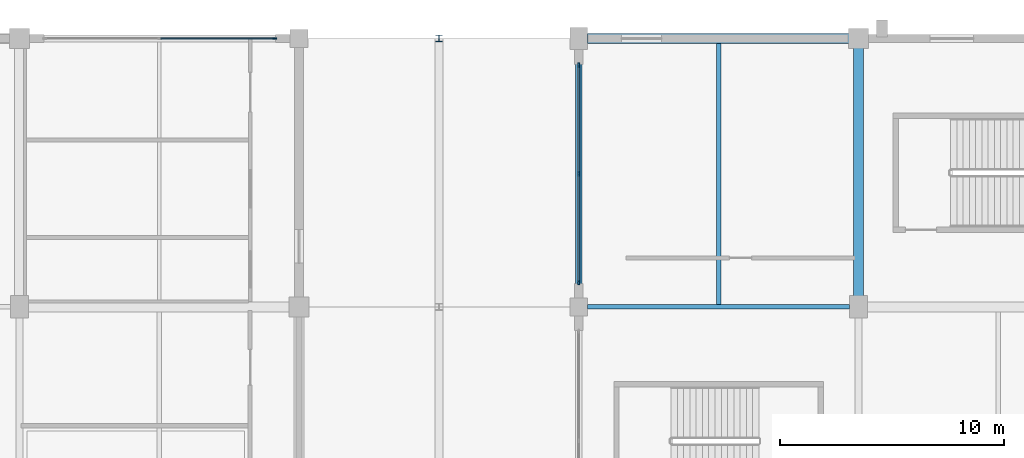
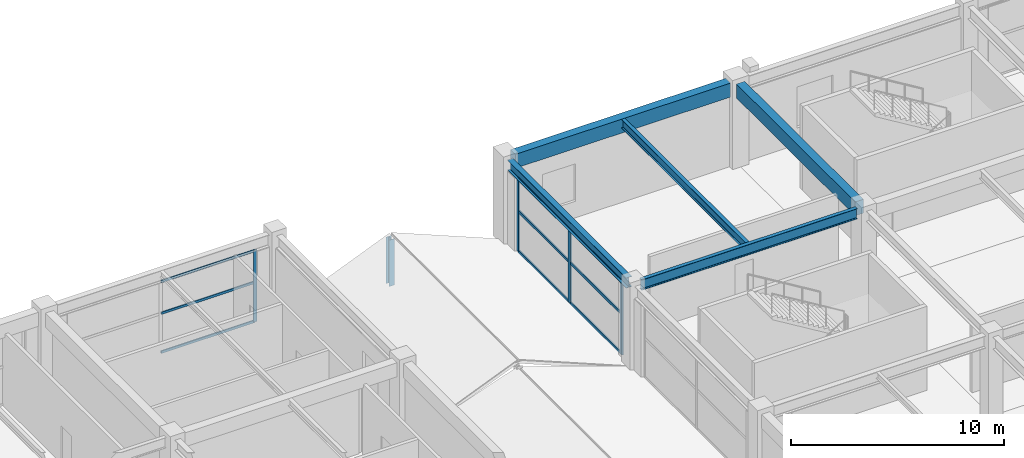
# One storey, part 48 of 116: 14 members, 5 beams, 2 elements without a shape of their own.
"""IFC4 building model written with IfcOpenShell, lengths in metres."""

from ifc_helpers import new_model, si_unit, direction, frame, origin, origin_2d, place, context, subcontext, project, spatial, rectangle, i_section, extrude, material, layer, layer_set, material_profile, profile_set, type_object, element, aggregate, save


model = new_model("IFC4")

# Units and contexts
model_context = context("Model", 3, precision=1e-05, world=origin(), true_north=direction((0.0, 1.0)))
body_context = subcontext(model_context, "Body", "Model", "MODEL_VIEW")
ifc_project = project(units=[si_unit("LENGTHUNIT", "METRE"), si_unit("AREAUNIT", "SQUARE_METRE"), si_unit("VOLUMEUNIT", "CUBIC_METRE"), si_unit("PLANEANGLEUNIT", "RADIAN"), si_unit("MASSUNIT", "GRAM", prefix="KILO")], contexts=[model_context])

# Site, building, storey
site_placement = place(None, origin())
site = spatial("IfcSite", under=ifc_project, at=site_placement, CompositionType="ELEMENT")
building_placement = place(site_placement, origin())
building = spatial("IfcBuilding", under=site, at=building_placement, Name="Kazenohara Klinker Stadium", CompositionType="ELEMENT")
storey_placement = place(building_placement, frame((0.0, 0.0, 10.199951171875)))
storey = spatial("IfcBuildingStorey", under=building, at=storey_placement, Name="L02", CompositionType="ELEMENT", Elevation=10.199951171875)

# Beams
ifc_material_1 = material(Name="Steel S355", Category="steel")
ifc_material_profile_1 = material_profile(ifc_material_1, i_section(OverallWidth=0.199951171875, OverallDepth=0.5, WebThickness=0.010009765625, FlangeThickness=0.01611328125, FilletRadius=0.012939453125, at=origin_2d()), Name="H-500x200x10x16")
ifc_profile_set_1 = profile_set([ifc_material_profile_1], Name="Steel S355")
beam_type_1 = type_object("IfcBeamType", Name="BM-JST01", PredefinedType="JOIST", material=ifc_profile_set_1)
beam_1_placement = place(storey_placement, frame((55.25, 156.10009765625, 4.570068359375), z_axis=(0.0, 1.0, 0.0), x_axis=(-1.0, 0.0, 0.0)))
element("IfcBeam", 1, at=beam_1_placement, inside=storey, type_object=beam_type_1, Name="Secondary floor joist SJ01 L02 5/P", PredefinedType="JOIST", context=body_context, shape_type="SweptSolid", body=[
    extrude(i_section(OverallWidth=0.199951171875, OverallDepth=0.5, WebThickness=0.010009765625, FlangeThickness=0.01611328125, FilletRadius=0.012939453125, at=origin_2d()), origin(), (0.0, 0.0, 1.0), 11.6748046875),
])
ifc_material_2 = material(Name="Concrete C40/50", Category="concrete")
ifc_material_profile_2 = material_profile(ifc_material_2, rectangle(XDim=0.449951171875, YDim=0.800048828125, at=origin_2d()), Name="RC-BM-450x800")
ifc_profile_set_2 = profile_set([ifc_material_profile_2], Name="Concrete C40/50")
beam_type_2 = type_object("IfcBeamType", Name="BM-RC03", PredefinedType="BEAM", material=ifc_profile_set_2)
beam_2_placement = place(storey_placement, frame((49.39990234375, 168.0, 4.420166015625), z_axis=(1.0, 0.0, 0.0), x_axis=(0.0, 1.0, 0.0)))
element("IfcBeam", 2, at=beam_2_placement, inside=storey, type_object=beam_type_2, Name="Primary girder BG03 L02 5-6/Q", PredefinedType="BEAM", context=body_context, shape_type="SweptSolid", body=[
    extrude(rectangle(XDim=0.449951171875, YDim=0.800048828125, at=origin_2d()), origin(), (0.0, 0.0, 1.0), 11.68017578125),
])
beam_3_placement = place(storey_placement, frame((61.5, 156.419921875, 4.420166015625), z_axis=(0.0, 1.0, 0.0), x_axis=(-1.0, 0.0, 0.0)))
element("IfcBeam", 3, at=beam_3_placement, inside=storey, type_object=beam_type_2, Name="Primary girder BG03 L02 6/P-Q", PredefinedType="BEAM", context=body_context, shape_type="SweptSolid", body=[
    extrude(rectangle(XDim=0.449951171875, YDim=0.800048828125, at=origin_2d()), origin(), (0.0, 0.0, 1.0), 11.16015625),
])
ifc_material_profile_3 = material_profile(ifc_material_1, i_section(OverallWidth=0.199951171875, OverallDepth=0.60009765625, WebThickness=0.010986328125, FlangeThickness=0.01708984375, FilletRadius=0.012939453125, at=origin_2d()), Name="H-600x200x11x17")
ifc_profile_set_3 = profile_set([ifc_material_profile_3], Name="Steel S355")
beam_type_3 = type_object("IfcBeamType", Name="BM-ST04", PredefinedType="BEAM", material=ifc_profile_set_3)
beam_4_placement = place(storey_placement, frame((49.39990234375, 156.0, 4.52001953125), z_axis=(1.0, 0.0, 0.0), x_axis=(0.0, 1.0, 0.0)))
element("IfcBeam", 4, at=beam_4_placement, inside=storey, type_object=beam_type_3, Name="Primary girder SB04 L02 5-6/P", PredefinedType="BEAM", context=body_context, shape_type="SweptSolid", body=[
    extrude(i_section(OverallWidth=0.199951171875, OverallDepth=0.60009765625, WebThickness=0.010986328125, FlangeThickness=0.01708984375, FilletRadius=0.012939453125, at=origin_2d()), origin(), (0.0, 0.0, 1.0), 11.7001953125),
])
ifc_material_profile_4 = material_profile(ifc_material_1, i_section(OverallWidth=0.300048828125, OverallDepth=0.587890625, WebThickness=0.011962890625, FlangeThickness=0.02001953125, FilletRadius=0.02197265625, at=origin_2d()), Name="H-588x300x12x20")
ifc_profile_set_4 = profile_set([ifc_material_profile_4], Name="Steel S355")
beam_type_4 = type_object("IfcBeamType", Name="BM-ST05", PredefinedType="BEAM", material=ifc_profile_set_4)
beam_5_placement = place(storey_placement, frame((49.0, 156.39990234375, 4.526123046875), z_axis=(0.0, 1.0, 0.0), x_axis=(-1.0, 0.0, 0.0)))
element("IfcBeam", 5, at=beam_5_placement, inside=storey, type_object=beam_type_4, Name="Primary girder SB05 L02 5/P-Q", PredefinedType="BEAM", context=body_context, shape_type="SweptSolid", body=[
    extrude(i_section(OverallWidth=0.300048828125, OverallDepth=0.587890625, WebThickness=0.011962890625, FlangeThickness=0.02001953125, FilletRadius=0.02197265625, at=origin_2d()), origin(), (0.0, 0.0, 1.0), 11.18017578125),
])

# Curtain wall, member
ifc_material_3 = material(Name="Anodised aluminium and triple glazing", Category="aluminium")
ifc_layer = layer(ifc_material_3, 0.159912109375)
ifc_layer_set = layer_set([ifc_layer], Name="Anodised aluminium and triple glazing")
curtain_wall_type = type_object("IfcCurtainWallType", Name="CW-SYS-01", PredefinedType="USERDEFINED", material=ifc_layer_set)
curtain_wall_1_placement = place(storey_placement, origin())
curtain_wall_1 = element("IfcCurtainWall", 6, at=curtain_wall_1_placement, inside=storey, type_object=curtain_wall_type, Name="Unitised facade curtain wall CW01 L02 X2-14", ObjectType="UNITISED CURTAIN WALL", PredefinedType="USERDEFINED")
ifc_material_4 = material(Name="Anodised aluminium 6063-T6", Category="aluminium")
ifc_material_profile_5 = material_profile(ifc_material_4, rectangle(XDim=0.06494140625, YDim=0.179931640625, at=origin_2d()), Name="ALU-MUL-65x180")
ifc_profile_set_5 = profile_set([ifc_material_profile_5], Name="Anodised aluminium 6063-T6")
member_type_1 = type_object("IfcMemberType", Name="CW-MUL-180", PredefinedType="MULLION", material=ifc_profile_set_5)
member_1_placement = place(storey_placement, frame((35.41357421875, 168.0, 0.0), z_axis=(0.0, 0.0, 1.0), x_axis=(0.0, 1.0, 0.0)))
member_1 = element("IfcMember", 7, at=member_1_placement, type_object=member_type_1, Name="CW01 mullion 3", PredefinedType="MULLION", context=body_context, shape_type="SweptSolid", body=[
    extrude(rectangle(XDim=0.06494140625, YDim=0.179931640625, at=origin_2d()), origin(), (0.0, 0.0, 1.0), 4.1201171875),
])

# Curtain wall, members
curtain_wall_2_placement = place(storey_placement, origin())
curtain_wall_2 = element("IfcCurtainWall", 8, at=curtain_wall_2_placement, inside=storey, type_object=curtain_wall_type, Name="Unitised facade curtain wall CW01 L02 Y4-13", ObjectType="UNITISED CURTAIN WALL", PredefinedType="USERDEFINED")
ifc_material_profile_6 = material_profile(ifc_material_4, rectangle(XDim=0.074951171875, YDim=0.219970703125, at=origin_2d()), Name="ALU-MUL-75x220")
ifc_profile_set_6 = profile_set([ifc_material_profile_6], Name="Anodised aluminium 6063-T6")
member_type_2 = type_object("IfcMemberType", Name="CW-MUL-220", PredefinedType="MULLION", material=ifc_profile_set_6)
member_2_placement = place(storey_placement, frame((49.0, 157.091552734375, 0.0), z_axis=(0.0, 0.0, 1.0), x_axis=(-1.0, 0.0, 0.0)))
member_2 = element("IfcMember", 9, at=member_2_placement, type_object=member_type_2, Name="CW01 mullion 1", PredefinedType="MULLION", context=body_context, shape_type="SweptSolid", body=[
    extrude(rectangle(XDim=0.074951171875, YDim=0.219970703125, at=origin_2d()), origin(), (0.0, 0.0, 1.0), 4.23193359375),
])
member_3_placement = place(storey_placement, frame((49.0, 161.949951171875, 0.0), z_axis=(0.0, 0.0, 1.0), x_axis=(-1.0, 0.0, 0.0)))
member_3 = element("IfcMember", 10, at=member_3_placement, type_object=member_type_2, Name="CW01 mullion 2", PredefinedType="MULLION", context=body_context, shape_type="SweptSolid", body=[
    extrude(rectangle(XDim=0.074951171875, YDim=0.219970703125, at=origin_2d()), origin(), (0.0, 0.0, 1.0), 4.23193359375),
])
member_4_placement = place(storey_placement, frame((49.0, 166.80859375, 0.0), z_axis=(0.0, 0.0, 1.0), x_axis=(-1.0, 0.0, 0.0)))
member_4 = element("IfcMember", 11, at=member_4_placement, type_object=member_type_2, Name="CW01 mullion 3", PredefinedType="MULLION", context=body_context, shape_type="SweptSolid", body=[
    extrude(rectangle(XDim=0.074951171875, YDim=0.219970703125, at=origin_2d()), origin(), (0.0, 0.0, 1.0), 4.23193359375),
])

# Member
ifc_material_profile_7 = material_profile(ifc_material_4, rectangle(XDim=0.06494140625, YDim=0.139892578125, at=origin_2d()), Name="ALU-TRN-65x140")
ifc_profile_set_7 = profile_set([ifc_material_profile_7], Name="Anodised aluminium 6063-T6")
member_type_3 = type_object("IfcMemberType", Name="CW-TRN-140", PredefinedType="USERDEFINED", material=ifc_profile_set_7)
member_5_placement = place(storey_placement, frame((30.3076171875, 168.0, 0.032470703125), z_axis=(1.0, 0.0, 0.0), x_axis=(0.0, 1.0, 0.0)))
member_5 = element("IfcMember", 12, at=member_5_placement, type_object=member_type_3, Name="CW01 transom 2.1", ObjectType="TRANSOM", PredefinedType="USERDEFINED", context=body_context, shape_type="SweptSolid", body=[
    extrude(rectangle(XDim=0.06494140625, YDim=0.139892578125, at=origin_2d()), origin(), (0.0, 0.0, 1.0), 5.073486328125),
])

member_6_placement = place(storey_placement, frame((30.3076171875, 168.0, 2.26611328125), z_axis=(1.0, 0.0, 0.0), x_axis=(0.0, 1.0, 0.0)))
member_6 = element("IfcMember", 13, at=member_6_placement, type_object=member_type_3, Name="CW01 transom 2.2", ObjectType="TRANSOM", PredefinedType="USERDEFINED", context=body_context, shape_type="SweptSolid", body=[
    extrude(rectangle(XDim=0.06494140625, YDim=0.139892578125, at=origin_2d()), origin(), (0.0, 0.0, 1.0), 5.073486328125),
])

member_7_placement = place(storey_placement, frame((30.3076171875, 168.0, 4.087646484375), z_axis=(1.0, 0.0, 0.0), x_axis=(0.0, 1.0, 0.0)))
member_7 = element("IfcMember", 14, at=member_7_placement, type_object=member_type_3, Name="CW01 transom 2.3", ObjectType="TRANSOM", PredefinedType="USERDEFINED", context=body_context, shape_type="SweptSolid", body=[
    extrude(rectangle(XDim=0.06494140625, YDim=0.139892578125, at=origin_2d()), origin(), (0.0, 0.0, 1.0), 5.073486328125),
])

aggregate(curtain_wall_1, [member_1, member_5, member_6, member_7])

ifc_material_profile_8 = material_profile(ifc_material_4, rectangle(XDim=0.074951171875, YDim=0.159912109375, at=origin_2d()), Name="ALU-TRN-75x160")
ifc_profile_set_8 = profile_set([ifc_material_profile_8], Name="Anodised aluminium 6063-T6")
member_type_4 = type_object("IfcMemberType", Name="CW-TRN-160", PredefinedType="USERDEFINED", material=ifc_profile_set_8)
member_8_placement = place(storey_placement, frame((49.0, 157.12890625, 0.03759765625), z_axis=(0.0, 1.0, 0.0), x_axis=(-1.0, 0.0, 0.0)))
member_8 = element("IfcMember", 15, at=member_8_placement, type_object=member_type_4, Name="CW01 transom 1.1", ObjectType="TRANSOM", PredefinedType="USERDEFINED", context=body_context, shape_type="SweptSolid", body=[
    extrude(rectangle(XDim=0.074951171875, YDim=0.159912109375, at=origin_2d()), origin(), (0.0, 0.0, 1.0), 4.78369140625),
])

member_9_placement = place(storey_placement, frame((49.0, 157.12890625, 2.32763671875), z_axis=(0.0, 1.0, 0.0), x_axis=(-1.0, 0.0, 0.0)))
member_9 = element("IfcMember", 16, at=member_9_placement, type_object=member_type_4, Name="CW01 transom 1.2", ObjectType="TRANSOM", PredefinedType="USERDEFINED", context=body_context, shape_type="SweptSolid", body=[
    extrude(rectangle(XDim=0.074951171875, YDim=0.159912109375, at=origin_2d()), origin(), (0.0, 0.0, 1.0), 4.78369140625),
])

member_10_placement = place(storey_placement, frame((49.0, 157.12890625, 4.194580078125), z_axis=(0.0, 1.0, 0.0), x_axis=(-1.0, 0.0, 0.0)))
member_10 = element("IfcMember", 17, at=member_10_placement, type_object=member_type_4, Name="CW01 transom 1.3", ObjectType="TRANSOM", PredefinedType="USERDEFINED", context=body_context, shape_type="SweptSolid", body=[
    extrude(rectangle(XDim=0.074951171875, YDim=0.159912109375, at=origin_2d()), origin(), (0.0, 0.0, 1.0), 4.78369140625),
])

member_11_placement = place(storey_placement, frame((49.0, 161.987548828125, 0.03759765625), z_axis=(0.0, 1.0, 0.0), x_axis=(-1.0, 0.0, 0.0)))
member_11 = element("IfcMember", 18, at=member_11_placement, type_object=member_type_4, Name="CW01 transom 2.1", ObjectType="TRANSOM", PredefinedType="USERDEFINED", context=body_context, shape_type="SweptSolid", body=[
    extrude(rectangle(XDim=0.074951171875, YDim=0.159912109375, at=origin_2d()), origin(), (0.0, 0.0, 1.0), 4.783447265625),
])

member_12_placement = place(storey_placement, frame((49.0, 161.987548828125, 2.32763671875), z_axis=(0.0, 1.0, 0.0), x_axis=(-1.0, 0.0, 0.0)))
member_12 = element("IfcMember", 19, at=member_12_placement, type_object=member_type_4, Name="CW01 transom 2.2", ObjectType="TRANSOM", PredefinedType="USERDEFINED", context=body_context, shape_type="SweptSolid", body=[
    extrude(rectangle(XDim=0.074951171875, YDim=0.159912109375, at=origin_2d()), origin(), (0.0, 0.0, 1.0), 4.783447265625),
])

member_13_placement = place(storey_placement, frame((49.0, 161.987548828125, 4.194580078125), z_axis=(0.0, 1.0, 0.0), x_axis=(-1.0, 0.0, 0.0)))
member_13 = element("IfcMember", 20, at=member_13_placement, type_object=member_type_4, Name="CW01 transom 2.3", ObjectType="TRANSOM", PredefinedType="USERDEFINED", context=body_context, shape_type="SweptSolid", body=[
    extrude(rectangle(XDim=0.074951171875, YDim=0.159912109375, at=origin_2d()), origin(), (0.0, 0.0, 1.0), 4.783447265625),
])

aggregate(curtain_wall_2, [member_2, member_3, member_4, member_8, member_9, member_10, member_11, member_12, member_13])

ifc_material_profile_9 = material_profile(ifc_material_1, i_section(OverallWidth=0.300048828125, OverallDepth=0.300048828125, WebThickness=0.010009765625, FlangeThickness=0.014892578125, FilletRadius=0.012939453125, at=origin_2d()), Name="H-300x300x10x15")
ifc_profile_set_9 = profile_set([ifc_material_profile_9], Name="Steel S355")
member_type_5 = type_object("IfcMemberType", Name="MEM-STR01", PredefinedType="STRUT", material=ifc_profile_set_9)
member_14_placement = place(storey_placement, frame((42.75, 168.0, -0.429931640625), z_axis=(0.0, 0.0, 1.0), x_axis=(1.0, 0.0, 0.0)))
element("IfcMember", 21, at=member_14_placement, inside=storey, type_object=member_type_5, Name="Stepped pavilion gable king-post L02 4/P N", PredefinedType="STRUT", context=body_context, shape_type="SweptSolid", body=[
    extrude(i_section(OverallWidth=0.300048828125, OverallDepth=0.300048828125, WebThickness=0.010009765625, FlangeThickness=0.014892578125, FilletRadius=0.012939453125, at=origin_2d()), origin(), (0.0, 0.0, 1.0), 2.659912109375),
])

save(model, "model.ifc")
